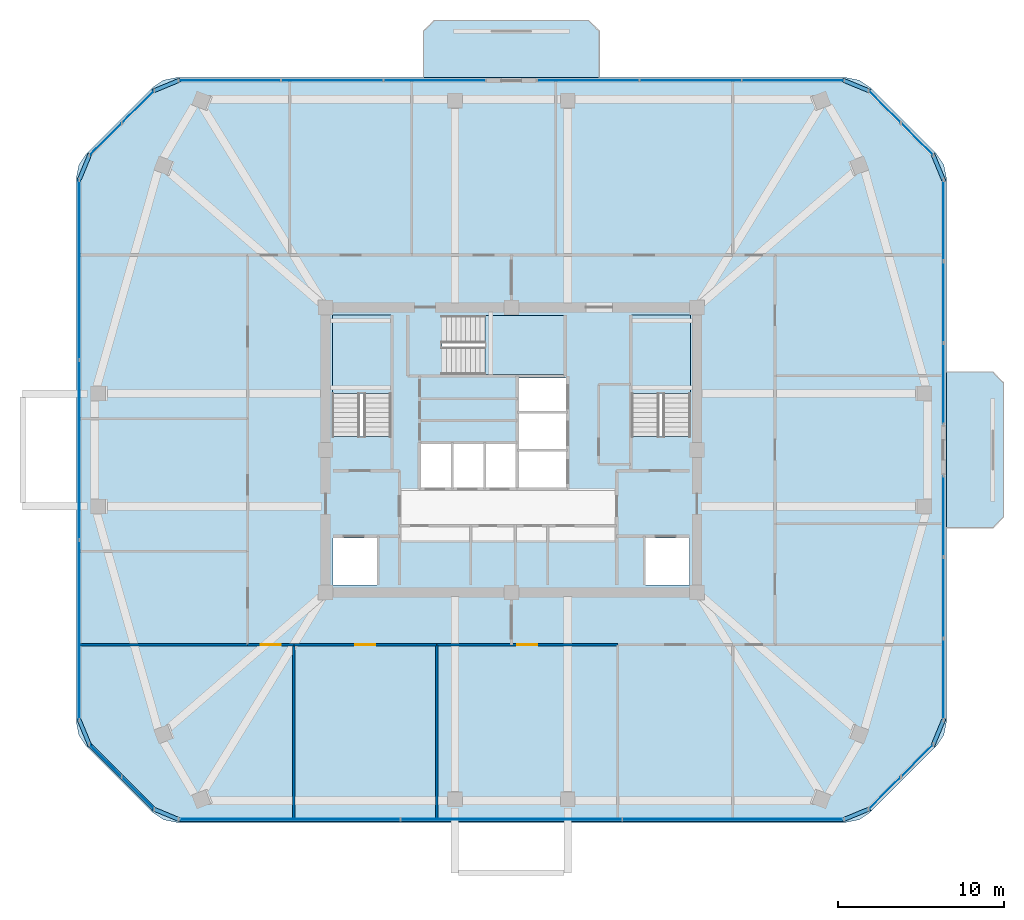
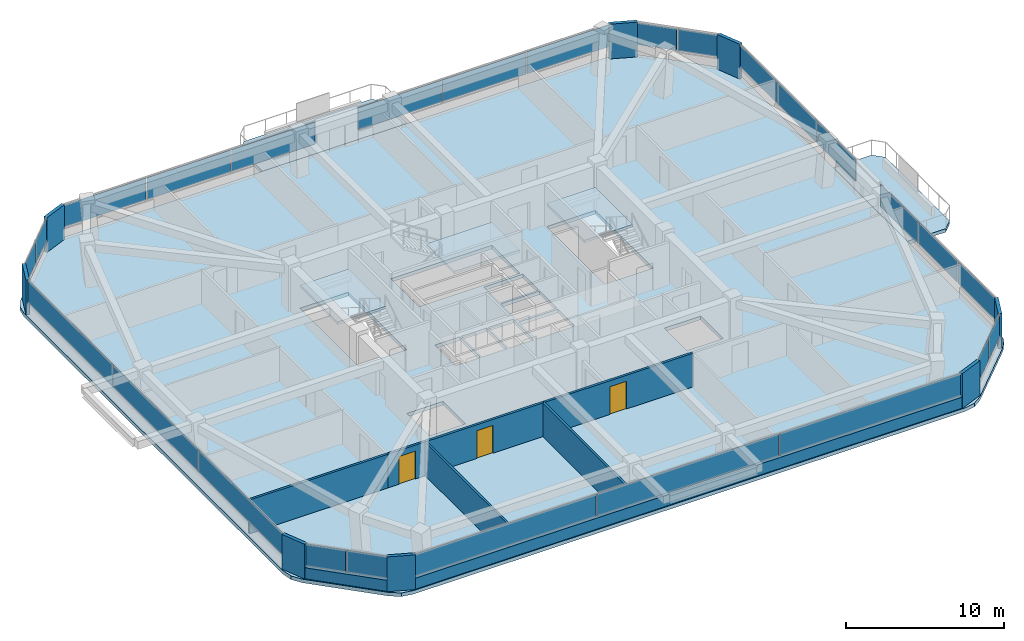
# One storey, part 8 of 14: 34 plates, 8 walls, 6 slabs, 3 doors, 3 openings, 13 elements without a shape of their own.
"""IFC4 building model written with IfcOpenShell, lengths in metres."""

from ifc_helpers import new_model, si_unit, derived_unit, direction, frame, frame_2d, origin, origin_2d, place, context, subcontext, project, spatial, polyline, rectangle, outline, extrude, material, layer, layer_set, type_object, element, fill, aggregate, save


model = new_model("IFC4")

# Units and contexts
model_context = context("Model", 3, precision=1e-05, world=origin(), true_north=direction((0.0, 1.0)))
body_context = subcontext(model_context, "Body", "Model", "MODEL_VIEW")
ifc_project = project(units=[si_unit("LENGTHUNIT", "METRE"), si_unit("AREAUNIT", "SQUARE_METRE"), si_unit("VOLUMEUNIT", "CUBIC_METRE"), si_unit("PLANEANGLEUNIT", "RADIAN"), si_unit("MASSUNIT", "GRAM", prefix="KILO"), derived_unit("THERMALTRANSMITTANCEUNIT", [(si_unit("POWERUNIT", "WATT"), 1), (si_unit("LENGTHUNIT", "METRE"), -2), (si_unit("THERMODYNAMICTEMPERATUREUNIT", "KELVIN"), -1)])], contexts=[model_context])

# Site, building, storey
site_placement = place(None, origin())
site = spatial("IfcSite", under=ifc_project, at=site_placement, CompositionType="ELEMENT")
building_placement = place(site_placement, origin())
building = spatial("IfcBuilding", under=site, at=building_placement, Name="Koralith Skygarden Medical Center", CompositionType="ELEMENT")
storey_placement = place(building_placement, frame((0.0, 0.0, 210.780029296875)))
storey = spatial("IfcBuildingStorey", under=building, at=storey_placement, Name="L54", CompositionType="ELEMENT", Elevation=210.780029296875)

# Curtain wall, plates
ifc_material_1 = material(Name="Clear Laminated Glass", Category="glass")
curtain_wall_type = type_object("IfcCurtainWallType", Name="CW-5 Zone 4 Flare Biophilic Curtain Wall", PredefinedType="NOTDEFINED", material=ifc_material_1)
curtain_wall_1_placement = place(storey_placement, origin())
curtain_wall_1 = element("IfcCurtainWall", 1, at=curtain_wall_1_placement, inside=storey, type_object=curtain_wall_type, Name="Curtain Wall CW-L54-S", PredefinedType="NOTDEFINED")
ifc_layer_1 = layer(ifc_material_1, 0.0380859375)
ifc_layer_set_1 = layer_set([ifc_layer_1], Name="Clear Laminated Glass")
plate_type_1 = type_object("IfcPlateType", Name="CW-5 Hurricane Laminated IGU Panel 38", PredefinedType="CURTAIN_PANEL", material=ifc_layer_set_1)
plate_1_placement = place(storey_placement, frame((23.613037109375, 3.626953125, 0.919921875), z_axis=(0.0, 0.0, 1.0), x_axis=(1.0, 0.0, 0.0)))
plate_1 = element("IfcPlate", 2, at=plate_1_placement, type_object=plate_type_1, Name="CW-L54-S Glazed Panel 1", PredefinedType="CURTAIN_PANEL", context=body_context, shape_type="SweptSolid", body=[
    extrude(rectangle(XDim=13.297119140625, YDim=0.0380859375, at=origin_2d()), origin(), (0.0, 0.0, 1.0), 1.699951171875),
])
plate_2_placement = place(storey_placement, frame((37.0, 3.626953125, 0.919921875), z_axis=(0.0, 0.0, 1.0), x_axis=(1.0, 0.0, 0.0)))
plate_2 = element("IfcPlate", 3, at=plate_2_placement, type_object=plate_type_1, Name="CW-L54-S Glazed Panel 2", PredefinedType="CURTAIN_PANEL", context=body_context, shape_type="SweptSolid", body=[
    extrude(rectangle(XDim=13.297119140625, YDim=0.0380859375, at=origin_2d()), origin(), (0.0, 0.0, 1.0), 1.699951171875),
])
plate_3_placement = place(storey_placement, frame((50.386962890625, 3.626953125, 0.919921875), z_axis=(0.0, 0.0, 1.0), x_axis=(1.0, 0.0, 0.0)))
plate_3 = element("IfcPlate", 4, at=plate_3_placement, type_object=plate_type_1, Name="CW-L54-S Glazed Panel 3", PredefinedType="CURTAIN_PANEL", context=body_context, shape_type="SweptSolid", body=[
    extrude(rectangle(XDim=13.297119140625, YDim=0.0380859375, at=origin_2d()), origin(), (0.0, 0.0, 1.0), 1.699951171875),
])
aggregate(curtain_wall_1, [plate_1, plate_2, plate_3])

curtain_wall_2_placement = place(storey_placement, origin())
curtain_wall_2 = element("IfcCurtainWall", 5, at=curtain_wall_2_placement, inside=storey, type_object=curtain_wall_type, Name="Curtain Wall CW-L54-SE", PredefinedType="NOTDEFINED")
plate_4_placement = place(storey_placement, frame((59.511962890625, 5.208984375, 0.919921875), z_axis=(0.0, 0.0, 1.0), x_axis=(0.707106781187, 0.707106781187, 0.0)))
plate_4 = element("IfcPlate", 6, at=plate_4_placement, type_object=plate_type_1, Name="CW-L54-SE Glazed Panel 1", PredefinedType="CURTAIN_PANEL", context=body_context, shape_type="SweptSolid", body=[
    extrude(rectangle(XDim=2.68408203125, YDim=0.0380859375, at=origin_2d()), origin(), (0.0, 0.0, 1.0), 1.699951171875),
])
plate_5_placement = place(storey_placement, frame((61.472900390625, 7.169921875, 0.919921875), z_axis=(0.0, 0.0, 1.0), x_axis=(0.707106781187, 0.707106781187, 0.0)))
plate_5 = element("IfcPlate", 7, at=plate_5_placement, type_object=plate_type_1, Name="CW-L54-SE Glazed Panel 2", PredefinedType="CURTAIN_PANEL", context=body_context, shape_type="SweptSolid", body=[
    extrude(rectangle(XDim=2.68408203125, YDim=0.0380859375, at=origin_2d()), origin(), (0.0, 0.0, 1.0), 1.699951171875),
])
aggregate(curtain_wall_2, [plate_4, plate_5])

curtain_wall_3_placement = place(storey_placement, origin())
curtain_wall_3 = element("IfcCurtainWall", 8, at=curtain_wall_3_placement, inside=storey, type_object=curtain_wall_type, Name="Curtain Wall CW-L54-E-L", PredefinedType="NOTDEFINED")
plate_6_placement = place(storey_placement, frame((63.054931640625, 12.06201171875, 0.919921875), z_axis=(0.0, 0.0, 1.0), x_axis=(0.0, 1.0, 0.0)))
plate_6 = element("IfcPlate", 9, at=plate_6_placement, type_object=plate_type_1, Name="CW-L54-E-L Glazed Panel 1", PredefinedType="CURTAIN_PANEL", context=body_context, shape_type="SweptSolid", body=[
    extrude(rectangle(XDim=4.8291015625, YDim=0.0380859375, at=origin_2d()), origin(), (0.0, 0.0, 1.0), 1.699951171875),
])
plate_7_placement = place(storey_placement, frame((63.054931640625, 16.97998046875, 0.919921875), z_axis=(0.0, 0.0, 1.0), x_axis=(0.0, 1.0, 0.0)))
plate_7 = element("IfcPlate", 10, at=plate_7_placement, type_object=plate_type_1, Name="CW-L54-E-L Glazed Panel 2", PredefinedType="CURTAIN_PANEL", context=body_context, shape_type="SweptSolid", body=[
    extrude(rectangle(XDim=4.8291015625, YDim=0.0380859375, at=origin_2d()), origin(), (0.0, 0.0, 1.0), 1.699951171875),
])
plate_8_placement = place(storey_placement, frame((63.054931640625, 21.89990234375, 0.919921875), z_axis=(0.0, 0.0, 1.0), x_axis=(0.0, 1.0, 0.0)))
plate_8 = element("IfcPlate", 11, at=plate_8_placement, type_object=plate_type_1, Name="CW-L54-E-L Glazed Panel 3", PredefinedType="CURTAIN_PANEL", context=body_context, shape_type="SweptSolid", body=[
    extrude(rectangle(XDim=4.8291015625, YDim=0.0380859375, at=origin_2d()), origin(), (0.0, 0.0, 1.0), 1.699951171875),
])
aggregate(curtain_wall_3, [plate_6, plate_7, plate_8])

curtain_wall_4_placement = place(storey_placement, origin())
curtain_wall_4 = element("IfcCurtainWall", 12, at=curtain_wall_4_placement, inside=storey, type_object=curtain_wall_type, Name="Curtain Wall CW-L54-E-R", PredefinedType="NOTDEFINED")
plate_9_placement = place(storey_placement, frame((63.054931640625, 29.89892578125, 0.919921875), z_axis=(0.0, 0.0, 1.0), x_axis=(0.0, 1.0, 0.0)))
plate_9 = element("IfcPlate", 13, at=plate_9_placement, type_object=plate_type_1, Name="CW-L54-E-R Glazed Panel 1", PredefinedType="CURTAIN_PANEL", context=body_context, shape_type="SweptSolid", body=[
    extrude(rectangle(XDim=4.830078125, YDim=0.0380859375, at=origin_2d()), origin(), (0.0, 0.0, 1.0), 1.699951171875),
])
plate_10_placement = place(storey_placement, frame((63.054931640625, 34.819091796875, 0.919921875), z_axis=(0.0, 0.0, 1.0), x_axis=(0.0, 1.0, 0.0)))
plate_10 = element("IfcPlate", 14, at=plate_10_placement, type_object=plate_type_1, Name="CW-L54-E-R Glazed Panel 2", PredefinedType="CURTAIN_PANEL", context=body_context, shape_type="SweptSolid", body=[
    extrude(rectangle(XDim=4.830078125, YDim=0.0380859375, at=origin_2d()), origin(), (0.0, 0.0, 1.0), 1.699951171875),
])
plate_11_placement = place(storey_placement, frame((63.054931640625, 39.738037109375, 0.919921875), z_axis=(0.0, 0.0, 1.0), x_axis=(0.0, 1.0, 0.0)))
plate_11 = element("IfcPlate", 15, at=plate_11_placement, type_object=plate_type_1, Name="CW-L54-E-R Glazed Panel 3", PredefinedType="CURTAIN_PANEL", context=body_context, shape_type="SweptSolid", body=[
    extrude(rectangle(XDim=4.830078125, YDim=0.0380859375, at=origin_2d()), origin(), (0.0, 0.0, 1.0), 1.699951171875),
])
aggregate(curtain_wall_4, [plate_9, plate_10, plate_11])

curtain_wall_5_placement = place(storey_placement, origin())
curtain_wall_5 = element("IfcCurtainWall", 16, at=curtain_wall_5_placement, inside=storey, type_object=curtain_wall_type, Name="Curtain Wall CW-L54-NE", PredefinedType="NOTDEFINED")
plate_12_placement = place(storey_placement, frame((61.472900390625, 44.6298828125, 0.919921875), z_axis=(0.0, 0.0, 1.0), x_axis=(-0.707106781187, 0.707106781187, 0.0)))
plate_12 = element("IfcPlate", 17, at=plate_12_placement, type_object=plate_type_1, Name="CW-L54-NE Glazed Panel 1", PredefinedType="CURTAIN_PANEL", context=body_context, shape_type="SweptSolid", body=[
    extrude(rectangle(XDim=2.68408203125, YDim=0.0380859375, at=origin_2d()), origin(), (0.0, 0.0, 1.0), 1.699951171875),
])
plate_13_placement = place(storey_placement, frame((59.511962890625, 46.591064453125, 0.919921875), z_axis=(0.0, 0.0, 1.0), x_axis=(-0.707106781187, 0.707106781187, 0.0)))
plate_13 = element("IfcPlate", 18, at=plate_13_placement, type_object=plate_type_1, Name="CW-L54-NE Glazed Panel 2", PredefinedType="CURTAIN_PANEL", context=body_context, shape_type="SweptSolid", body=[
    extrude(rectangle(XDim=2.68408203125, YDim=0.0380859375, at=origin_2d()), origin(), (0.0, 0.0, 1.0), 1.699951171875),
])
aggregate(curtain_wall_5, [plate_12, plate_13])

curtain_wall_6_placement = place(storey_placement, origin())
curtain_wall_6 = element("IfcCurtainWall", 19, at=curtain_wall_6_placement, inside=storey, type_object=curtain_wall_type, Name="Curtain Wall CW-L54-N-L", PredefinedType="NOTDEFINED")
plate_14_placement = place(storey_placement, frame((53.989990234375, 48.173095703125, 0.919921875), z_axis=(0.0, 0.0, 1.0), x_axis=(-1.0, 0.0, 0.0)))
plate_14 = element("IfcPlate", 20, at=plate_14_placement, type_object=plate_type_1, Name="CW-L54-N-L Glazed Panel 1", PredefinedType="CURTAIN_PANEL", context=body_context, shape_type="SweptSolid", body=[
    extrude(rectangle(XDim=6.090087890625, YDim=0.0380859375, at=origin_2d()), origin(), (0.0, 0.0, 1.0), 1.699951171875),
])
plate_15_placement = place(storey_placement, frame((47.81005859375, 48.173095703125, 0.919921875), z_axis=(0.0, 0.0, 1.0), x_axis=(-1.0, 0.0, 0.0)))
plate_15 = element("IfcPlate", 21, at=plate_15_placement, type_object=plate_type_1, Name="CW-L54-N-L Glazed Panel 2", PredefinedType="CURTAIN_PANEL", context=body_context, shape_type="SweptSolid", body=[
    extrude(rectangle(XDim=6.090087890625, YDim=0.0380859375, at=origin_2d()), origin(), (0.0, 0.0, 1.0), 1.699951171875),
])
plate_16_placement = place(storey_placement, frame((41.631103515625, 48.173095703125, 0.919921875), z_axis=(0.0, 0.0, 1.0), x_axis=(-1.0, 0.0, 0.0)))
plate_16 = element("IfcPlate", 22, at=plate_16_placement, type_object=plate_type_1, Name="CW-L54-N-L Glazed Panel 3", PredefinedType="CURTAIN_PANEL", context=body_context, shape_type="SweptSolid", body=[
    extrude(rectangle(XDim=6.090087890625, YDim=0.0380859375, at=origin_2d()), origin(), (0.0, 0.0, 1.0), 1.699951171875),
])
aggregate(curtain_wall_6, [plate_14, plate_15, plate_16])

curtain_wall_7_placement = place(storey_placement, origin())
curtain_wall_7 = element("IfcCurtainWall", 23, at=curtain_wall_7_placement, inside=storey, type_object=curtain_wall_type, Name="Curtain Wall CW-L54-N-R", PredefinedType="NOTDEFINED")
plate_17_placement = place(storey_placement, frame((32.37109375, 48.173095703125, 0.919921875), z_axis=(0.0, 0.0, 1.0), x_axis=(-1.0, 0.0, 0.0)))
plate_17 = element("IfcPlate", 24, at=plate_17_placement, type_object=plate_type_1, Name="CW-L54-N-R Glazed Panel 1", PredefinedType="CURTAIN_PANEL", context=body_context, shape_type="SweptSolid", body=[
    extrude(rectangle(XDim=6.090087890625, YDim=0.0380859375, at=origin_2d()), origin(), (0.0, 0.0, 1.0), 1.699951171875),
])
plate_18_placement = place(storey_placement, frame((26.19091796875, 48.173095703125, 0.919921875), z_axis=(0.0, 0.0, 1.0), x_axis=(-1.0, 0.0, 0.0)))
plate_18 = element("IfcPlate", 25, at=plate_18_placement, type_object=plate_type_1, Name="CW-L54-N-R Glazed Panel 2", PredefinedType="CURTAIN_PANEL", context=body_context, shape_type="SweptSolid", body=[
    extrude(rectangle(XDim=6.090087890625, YDim=0.0380859375, at=origin_2d()), origin(), (0.0, 0.0, 1.0), 1.699951171875),
])
plate_19_placement = place(storey_placement, frame((20.010009765625, 48.173095703125, 0.919921875), z_axis=(0.0, 0.0, 1.0), x_axis=(-1.0, 0.0, 0.0)))
plate_19 = element("IfcPlate", 26, at=plate_19_placement, type_object=plate_type_1, Name="CW-L54-N-R Glazed Panel 3", PredefinedType="CURTAIN_PANEL", context=body_context, shape_type="SweptSolid", body=[
    extrude(rectangle(XDim=6.090087890625, YDim=0.0380859375, at=origin_2d()), origin(), (0.0, 0.0, 1.0), 1.699951171875),
])
aggregate(curtain_wall_7, [plate_17, plate_18, plate_19])

curtain_wall_8_placement = place(storey_placement, origin())
curtain_wall_8 = element("IfcCurtainWall", 27, at=curtain_wall_8_placement, inside=storey, type_object=curtain_wall_type, Name="Curtain Wall CW-L54-NW", PredefinedType="NOTDEFINED")
plate_20_placement = place(storey_placement, frame((14.488037109375, 46.591064453125, 0.919921875), z_axis=(0.0, 0.0, 1.0), x_axis=(-0.707106781187, -0.707106781187, 0.0)))
plate_20 = element("IfcPlate", 28, at=plate_20_placement, type_object=plate_type_1, Name="CW-L54-NW Glazed Panel 1", PredefinedType="CURTAIN_PANEL", context=body_context, shape_type="SweptSolid", body=[
    extrude(rectangle(XDim=2.68408203125, YDim=0.0380859375, at=origin_2d()), origin(), (0.0, 0.0, 1.0), 1.699951171875),
])
plate_21_placement = place(storey_placement, frame((12.527099609375, 44.6298828125, 0.919921875), z_axis=(0.0, 0.0, 1.0), x_axis=(-0.707106781187, -0.707106781187, 0.0)))
plate_21 = element("IfcPlate", 29, at=plate_21_placement, type_object=plate_type_1, Name="CW-L54-NW Glazed Panel 2", PredefinedType="CURTAIN_PANEL", context=body_context, shape_type="SweptSolid", body=[
    extrude(rectangle(XDim=2.68408203125, YDim=0.0380859375, at=origin_2d()), origin(), (0.0, 0.0, 1.0), 1.699951171875),
])
aggregate(curtain_wall_8, [plate_20, plate_21])

curtain_wall_9_placement = place(storey_placement, origin())
curtain_wall_9 = element("IfcCurtainWall", 30, at=curtain_wall_9_placement, inside=storey, type_object=curtain_wall_type, Name="Curtain Wall CW-L54-W", PredefinedType="NOTDEFINED")
plate_22_placement = place(storey_placement, frame((10.945068359375, 36.764892578125, 0.919921875), z_axis=(0.0, 0.0, 1.0), x_axis=(0.0, -1.0, 0.0)))
plate_22 = element("IfcPlate", 31, at=plate_22_placement, type_object=plate_type_1, Name="CW-L54-W Glazed Panel 1", PredefinedType="CURTAIN_PANEL", context=body_context, shape_type="SweptSolid", body=[
    extrude(rectangle(XDim=10.77490234375, YDim=0.0380859375, at=origin_2d()), origin(), (0.0, 0.0, 1.0), 1.699951171875),
])
plate_23_placement = place(storey_placement, frame((10.945068359375, 25.89990234375, 0.919921875), z_axis=(0.0, 0.0, 1.0), x_axis=(0.0, -1.0, 0.0)))
plate_23 = element("IfcPlate", 32, at=plate_23_placement, type_object=plate_type_1, Name="CW-L54-W Glazed Panel 2", PredefinedType="CURTAIN_PANEL", context=body_context, shape_type="SweptSolid", body=[
    extrude(rectangle(XDim=10.77490234375, YDim=0.0380859375, at=origin_2d()), origin(), (0.0, 0.0, 1.0), 1.699951171875),
])
plate_24_placement = place(storey_placement, frame((10.945068359375, 15.034912109375, 0.919921875), z_axis=(0.0, 0.0, 1.0), x_axis=(0.0, -1.0, 0.0)))
plate_24 = element("IfcPlate", 33, at=plate_24_placement, type_object=plate_type_1, Name="CW-L54-W Glazed Panel 3", PredefinedType="CURTAIN_PANEL", context=body_context, shape_type="SweptSolid", body=[
    extrude(rectangle(XDim=10.77490234375, YDim=0.0380859375, at=origin_2d()), origin(), (0.0, 0.0, 1.0), 1.699951171875),
])
aggregate(curtain_wall_9, [plate_22, plate_23, plate_24])

curtain_wall_10_placement = place(storey_placement, origin())
curtain_wall_10 = element("IfcCurtainWall", 34, at=curtain_wall_10_placement, inside=storey, type_object=curtain_wall_type, Name="Curtain Wall CW-L54-SW", PredefinedType="NOTDEFINED")
plate_25_placement = place(storey_placement, frame((12.527099609375, 7.169921875, 0.919921875), z_axis=(0.0, 0.0, 1.0), x_axis=(0.707106781187, -0.707106781187, 0.0)))
plate_25 = element("IfcPlate", 35, at=plate_25_placement, type_object=plate_type_1, Name="CW-L54-SW Glazed Panel 1", PredefinedType="CURTAIN_PANEL", context=body_context, shape_type="SweptSolid", body=[
    extrude(rectangle(XDim=2.68408203125, YDim=0.0380859375, at=origin_2d()), origin(), (0.0, 0.0, 1.0), 1.699951171875),
])
plate_26_placement = place(storey_placement, frame((14.488037109375, 5.208984375, 0.919921875), z_axis=(0.0, 0.0, 1.0), x_axis=(0.707106781187, -0.707106781187, 0.0)))
plate_26 = element("IfcPlate", 36, at=plate_26_placement, type_object=plate_type_1, Name="CW-L54-SW Glazed Panel 2", PredefinedType="CURTAIN_PANEL", context=body_context, shape_type="SweptSolid", body=[
    extrude(rectangle(XDim=2.68408203125, YDim=0.0380859375, at=origin_2d()), origin(), (0.0, 0.0, 1.0), 1.699951171875),
])
aggregate(curtain_wall_10, [plate_25, plate_26])

# Slabs
ifc_material_2 = material(Name="Concrete C45/55", Category="concrete")
ifc_layer_2 = layer(ifc_material_2, 0.260009765625)
ifc_layer_set_2 = layer_set([ifc_layer_2], Name="Concrete C45/55")
slab_type_1 = type_object("IfcSlabType", Name="Cantilevered Planted Balcony Slab 260", PredefinedType="FLOOR", material=ifc_layer_set_2)
slab_1_placement = place(storey_placement, frame((0.0, 0.0, -0.260009765625)))
element("IfcSlab", 37, at=slab_1_placement, inside=storey, type_object=slab_type_1, Name="L54 N Planted Sky-Garden Balcony Slab", PredefinedType="FLOOR", context=body_context, shape_type="SweptSolid", body=[
    extrude(outline(polyline([(31.699951171875, 48.35302734375), (42.300048828125, 48.35302734375), (42.300048828125, 51.153076171875), (41.64990234375, 51.802978515625), (32.35009765625, 51.802978515625), (31.699951171875, 51.153076171875), (31.699951171875, 48.35302734375)])), origin(), (0.0, 0.0, 1.0), 0.260009765625),
])
slab_2_placement = place(storey_placement, frame((0.0, 0.0, -0.260009765625)))
element("IfcSlab", 38, at=slab_2_placement, inside=storey, type_object=slab_type_1, Name="L54 E Planted Sky-Garden Balcony Slab", PredefinedType="FLOOR", context=body_context, shape_type="SweptSolid", body=[
    extrude(outline(polyline([(63.235107421875, 21.199951171875), (66.034912109375, 21.199951171875), (66.68505859375, 21.85009765625), (66.68505859375, 29.949951171875), (66.034912109375, 30.60009765625), (63.235107421875, 30.60009765625), (63.235107421875, 21.199951171875)])), origin(), (0.0, 0.0, 1.0), 0.260009765625),
])

# Stair, slab
stair_type = type_object("IfcStairType", Name="Core Exit Dogleg Concrete Stair", PredefinedType="HALF_TURN_STAIR", material=ifc_material_2)
stair_1_placement = place(storey_placement, origin())
stair_1 = element("IfcStair", 39, at=stair_1_placement, inside=storey, type_object=stair_type, Name="L54 Smokeproof Exit Stair ST1", PredefinedType="HALF_TURN_STAIR")
ifc_layer_3 = layer(ifc_material_2, 0.199951171875)
ifc_layer_set_3 = layer_set([ifc_layer_3], Name="Concrete C45/55")
slab_type_2 = type_object("IfcSlabType", Name="Core Exit Concrete Stair Landing 200", PredefinedType="LANDING", material=ifc_layer_set_3)
slab_3_placement = place(storey_placement, frame((0.0, 0.0, 1.599853515625)))
slab_3 = element("IfcSlab", 40, at=slab_3_placement, type_object=slab_type_2, Name="ST1 landing 1", PredefinedType="LANDING", context=body_context, shape_type="SweptSolid", body=[
    extrude(outline(polyline([(29.75, 29.31005859375), (29.75, 34.050048828125), (26.199951171875, 34.050048828125), (26.199951171875, 29.31005859375), (29.75, 29.31005859375)])), origin(), (0.0, 0.0, 1.0), 0.2001953125),
])
aggregate(stair_1, [slab_3])

stair_2_placement = place(storey_placement, origin())
stair_2 = element("IfcStair", 41, at=stair_2_placement, inside=storey, type_object=stair_type, Name="L54 Smokeproof Exit Stair ST2", PredefinedType="HALF_TURN_STAIR")
slab_4_placement = place(storey_placement, frame((0.0, 0.0, 1.599853515625)))
slab_4 = element("IfcSlab", 42, at=slab_4_placement, type_object=slab_type_2, Name="ST2 landing 1", PredefinedType="LANDING", context=body_context, shape_type="SweptSolid", body=[
    extrude(outline(polyline([(47.800048828125, 29.31005859375), (47.800048828125, 34.050048828125), (44.25, 34.050048828125), (44.25, 29.31005859375), (47.800048828125, 29.31005859375)])), origin(), (0.0, 0.0, 1.0), 0.2001953125),
])
aggregate(stair_2, [slab_4])

stair_3_placement = place(storey_placement, origin())
stair_3 = element("IfcStair", 43, at=stair_3_placement, inside=storey, type_object=stair_type, Name="L54 Smokeproof Exit Stair ST3", PredefinedType="HALF_TURN_STAIR")
slab_5_placement = place(storey_placement, frame((0.0, 0.0, 1.599853515625)))
slab_5 = element("IfcSlab", 44, at=slab_5_placement, type_object=slab_type_2, Name="ST3 landing 1", PredefinedType="LANDING", context=body_context, shape_type="SweptSolid", body=[
    extrude(outline(polyline([(35.409912109375, 30.449951171875), (40.199951171875, 30.449951171875), (40.199951171875, 34.0), (35.409912109375, 34.0), (35.409912109375, 30.449951171875)])), origin(), (0.0, 0.0, 1.0), 0.2001953125),
])
aggregate(stair_3, [slab_5])

# Slab
ifc_layer_4 = layer(ifc_material_2, 0.280029296875)
ifc_layer_set_4 = layer_set([ifc_layer_4], Name="Concrete C45/55")
slab_type_3 = type_object("IfcSlabType", Name="Post-Tensioned Ward Floor Plate 280", PredefinedType="FLOOR", material=ifc_layer_set_4)
slab_6_placement = place(storey_placement, frame((0.0, 0.0, -0.280029296875)))
element("IfcSlab", 45, at=slab_6_placement, inside=storey, type_object=slab_type_3, Name="Level L54 Structural Floor Slab", PredefinedType="FLOOR", context=body_context, shape_type="SweptSolid", body=[
    extrude(outline(polyline([(15.37890625, 4.032958984375), (16.028076171875, 3.59912109375), (16.79296875, 3.447021484375), (57.20703125, 3.447021484375), (57.971923828125, 3.59912109375), (58.62109375, 4.032958984375), (62.64892578125, 8.06103515625), (63.0830078125, 8.7099609375), (63.235107421875, 9.47509765625), (63.235107421875, 42.324951171875), (63.0830078125, 43.090087890625), (62.64892578125, 43.739013671875), (58.62109375, 47.76708984375), (57.971923828125, 48.200927734375), (57.20703125, 48.35302734375), (16.79296875, 48.35302734375), (16.028076171875, 48.200927734375), (15.37890625, 47.76708984375), (11.35107421875, 43.739013671875), (10.9169921875, 43.090087890625), (10.764892578125, 42.324951171875), (10.764892578125, 9.47509765625), (10.9169921875, 8.7099609375), (11.35107421875, 8.06103515625), (15.37890625, 4.032958984375)]), holes=[polyline([(26.199951171875, 26.705078125), (29.75, 26.705078125), (29.75, 34.050048828125), (26.199951171875, 34.050048828125), (26.199951171875, 26.705078125)]), polyline([(44.25, 26.705078125), (47.800048828125, 26.705078125), (47.800048828125, 34.050048828125), (44.25, 34.050048828125), (44.25, 26.705078125)]), polyline([(32.804931640625, 30.449951171875), (40.199951171875, 30.449951171875), (40.199951171875, 34.0), (32.804931640625, 34.0), (32.804931640625, 30.449951171875)]), polyline([(26.25, 17.75), (28.89990234375, 17.75), (28.89990234375, 20.60009765625), (26.25, 20.60009765625), (26.25, 17.75)]), polyline([(45.10009765625, 17.75), (47.75, 17.75), (47.75, 20.60009765625), (45.10009765625, 20.60009765625), (45.10009765625, 17.75)]), polyline([(31.550048828125, 23.64990234375), (33.39990234375, 23.64990234375), (33.39990234375, 26.25), (31.550048828125, 26.25), (31.550048828125, 23.64990234375)]), polyline([(33.5, 23.64990234375), (35.35009765625, 23.64990234375), (35.35009765625, 26.25), (33.5, 26.25), (33.5, 23.64990234375)]), polyline([(35.449951171875, 23.64990234375), (37.300048828125, 23.64990234375), (37.300048828125, 26.25), (35.449951171875, 26.25), (35.449951171875, 23.64990234375)]), polyline([(37.449951171875, 23.64990234375), (40.300048828125, 23.64990234375), (40.300048828125, 25.800048828125), (37.449951171875, 25.800048828125), (37.449951171875, 23.64990234375)]), polyline([(37.449951171875, 25.949951171875), (40.300048828125, 25.949951171875), (40.300048828125, 28.10009765625), (37.449951171875, 28.10009765625), (37.449951171875, 25.949951171875)]), polyline([(37.449951171875, 28.25), (40.300048828125, 28.25), (40.300048828125, 30.25), (37.449951171875, 30.25), (37.449951171875, 28.25)])]), origin(), (0.0, 0.0, 1.0), 0.280029296875),
])

# Plates
ifc_material_3 = material(Name="Warm Oolitic Limestone Cladding", Category="masonry")
ifc_layer_5 = layer(ifc_material_3, 0.239990234375)
ifc_layer_set_5 = layer_set([ifc_layer_5], Name="Warm Oolitic Limestone Cladding")
plate_type_2 = type_object("IfcPlateType", Name="Rounded-Corner Oolitic Limestone Cladding Panel 240", PredefinedType="USERDEFINED", material=ifc_layer_set_5)
for number, where, z_axis, x_axis, name in (
    (46, (57.804931640625, 3.927001953125, 0.0), (0.0, 0.0, 1.0), (0.92388487569, 0.382670532536, 0.0), "L54 Rounded-Corner Limestone Pier 1"),
    (47, (62.7548828125, 8.876953125, 0.0), (0.0, 0.0, 1.0), (0.382670532536, 0.92388487569, 0.0), "L54 Rounded-Corner Limestone Pier 2"),
    (48, (62.7548828125, 42.924072265625, 0.0), (0.0, 0.0, 1.0), (-0.382670532536, 0.92388487569, 0.0), "L54 Rounded-Corner Limestone Pier 3"),
    (49, (57.804931640625, 47.873046875, 0.0), (0.0, 0.0, 1.0), (-0.92388487569, 0.382670532536, 0.0), "L54 Rounded-Corner Limestone Pier 4"),
    (50, (16.195068359375, 47.873046875, 0.0), (0.0, 0.0, 1.0), (-0.92388487569, -0.382670532536, 0.0), "L54 Rounded-Corner Limestone Pier 5"),
    (51, (11.2451171875, 42.924072265625, 0.0), (0.0, 0.0, 1.0), (-0.382670532536, -0.92388487569, 0.0), "L54 Rounded-Corner Limestone Pier 6"),
    (52, (11.2451171875, 8.876953125, 0.0), (0.0, 0.0, 1.0), (0.382670532536, -0.92388487569, 0.0), "L54 Rounded-Corner Limestone Pier 7"),
    (53, (16.195068359375, 3.927001953125, 0.0), (0.0, 0.0, 1.0), (0.92388487569, -0.382670532536, 0.0), "L54 Rounded-Corner Limestone Pier 8"),
):
    element("IfcPlate", number, at=place(storey_placement, frame(where, z_axis=z_axis, x_axis=x_axis)), inside=storey, type_object=plate_type_2, Name=name, ObjectType="LIMESTONE CLADDING", PredefinedType="USERDEFINED", context=body_context, shape_type="SweptSolid", body=[
        extrude(rectangle(XDim=1.81103515625, YDim=0.239990234375, at=origin_2d()), origin(), (0.0, 0.0, 1.0), 2.68994140625),
    ])

# Walls
ifc_material_4 = material(Name="Gypsum Board Partition")
ifc_layer_6 = layer(ifc_material_4, 0.14990234375)
ifc_layer_set_6 = layer_set([ifc_layer_6], Name="Gypsum Board Partition")
wall_type_1 = type_object("IfcWallType", Name="Clinical Acoustic Partition 150", PredefinedType="PARTITIONING", material=ifc_layer_set_6)
for number, where, z_axis, x_axis, name in (
    (54, (23.882080078125, 14.14990234375, 0.0), (0.0, 0.0, 1.0), (0.0, -1.0, 0.0), "L54 Clinical Acoustic Partition 150 W-PART-L54-S-01"),
    (55, (32.4970703125, 14.14990234375, 0.0), (0.0, 0.0, 1.0), (0.0, -1.0, 0.0), "L54 Clinical Acoustic Partition 150 W-PART-L54-S-02"),
):
    element("IfcWall", number, at=place(storey_placement, frame(where, z_axis=z_axis, x_axis=x_axis)), inside=storey, type_object=wall_type_1, Name=name, PredefinedType="PARTITIONING", context=body_context, shape_type="SweptSolid", body=[
        extrude(rectangle(XDim=10.5029296875, YDim=0.14990234375, at=frame_2d((5.25146484375, 0.0))), origin(), (0.0, 0.0, 1.0), 2.60986328125),
    ])
ifc_layer_7 = layer(ifc_material_4, 0.1650390625)
ifc_layer_set_7 = layer_set([ifc_layer_7], Name="Gypsum Board Partition")
wall_type_2 = type_object("IfcWallType", Name="Clinical Corridor Partition 165", PredefinedType="PARTITIONING", material=ifc_layer_set_7)
wall_1_placement = place(storey_placement, frame((10.965087890625, 14.14990234375, 0.0), z_axis=(0.0, 0.0, 1.0), x_axis=(1.0, 0.0, 0.0)))
element("IfcWall", 56, at=wall_1_placement, inside=storey, type_object=wall_type_2, Name="L54 Clinical Corridor Partition 165 W-WB-L54-SW", PredefinedType="PARTITIONING", context=body_context, shape_type="SweptSolid", body=[
    extrude(rectangle(XDim=10.135009765625, YDim=0.1650390625, at=frame_2d((5.0673828125, 0.0))), origin(), (0.0, 0.0, 1.0), 2.60986328125),
])

# Wall, opening, door
wall_2_placement = place(storey_placement, frame((21.10009765625, 14.14990234375, 0.0), z_axis=(0.0, 0.0, 1.0), x_axis=(1.0, 0.0, 0.0)))
wall_2 = element("IfcWall", 57, at=wall_2_placement, inside=storey, type_object=wall_type_2, Name="L54 Clinical Corridor Partition 165 W-CORR-L54-S-01", PredefinedType="PARTITIONING", context=body_context, shape_type="SweptSolid", body=[
    extrude(rectangle(XDim=2.781982421875, YDim=0.1650390625, at=frame_2d((1.39111328125, 0.0))), origin(), (0.0, 0.0, 1.0), 2.60986328125),
])
opening_1_placement = place(wall_2_placement, frame((0.791015625, 0.0, 0.0)))
opening_1 = element("IfcOpeningElement", 58, at=opening_1_placement, cuts=wall_2, Name="Opening D-CLN", PredefinedType="OPENING", context=body_context, shape_type="SweptSolid", body=[
    extrude(rectangle(XDim=1.199951171875, YDim=2.14990234375, at=frame_2d((0.60009765625, 1.074951171875))), frame((0.0, 0.092529296875, 0.0), z_axis=(0.0, -1.0, 0.0), x_axis=(1.0, 0.0, 0.0)), (0.0, 0.0, 1.0), 0.18505859375),
])
ifc_material_5 = material(Name="Aluminium 6063-T6", Category="aluminium")
door_type = type_object("IfcDoorType", Name="Clinical Corridor Door D-CLN 1200", OperationType="NOTDEFINED", PredefinedType="DOOR", material=ifc_material_5)
door_1_placement = place(opening_1_placement, frame((1.199951171875, 0.0, 0.0), z_axis=(0.0, 0.0, 1.0), x_axis=(-1.0, 0.0, 0.0)))
door_1 = element("IfcDoor", 59, at=door_1_placement, inside=storey, type_object=door_type, Name="L54 Pharmacy Bulk IV Supply Store 06 Door", OperationType="SINGLE_SWING_LEFT", OverallHeight=2.14990234375, OverallWidth=1.199951171875, PredefinedType="DOOR", context=body_context, shape_type="SweptSolid", body=[
    extrude(rectangle(XDim=1.199951171875, YDim=2.14990234375, at=frame_2d((0.60009765625, 1.074951171875))), frame((0.0, 0.02490234375, 0.0), z_axis=(0.0, -1.0, 0.0), x_axis=(1.0, 0.0, 0.0)), (0.0, 0.0, 1.0), 0.050048828125),
])
fill(opening_1, door_1)

wall_3_placement = place(storey_placement, frame((23.882080078125, 14.14990234375, 0.0), z_axis=(0.0, 0.0, 1.0), x_axis=(1.0, 0.0, 0.0)))
wall_3 = element("IfcWall", 60, at=wall_3_placement, inside=storey, type_object=wall_type_2, Name="L54 Clinical Corridor Partition 165 W-CORR-L54-S-02", PredefinedType="PARTITIONING", context=body_context, shape_type="SweptSolid", body=[
    extrude(rectangle(XDim=8.614990234375, YDim=0.1650390625, at=frame_2d((4.3076171875, 0.0))), origin(), (0.0, 0.0, 1.0), 2.60986328125),
])
opening_2_placement = place(wall_3_placement, frame((3.70703125, 0.0, 0.0)))
opening_2 = element("IfcOpeningElement", 61, at=opening_2_placement, cuts=wall_3, Name="Opening D-CLN", PredefinedType="OPENING", context=body_context, shape_type="SweptSolid", body=[
    extrude(rectangle(XDim=1.199951171875, YDim=2.14990234375, at=frame_2d((0.60009765625, 1.074951171875))), frame((0.0, 0.092529296875, 0.0), z_axis=(0.0, -1.0, 0.0), x_axis=(1.0, 0.0, 0.0)), (0.0, 0.0, 1.0), 0.18505859375),
])
door_2_placement = place(opening_2_placement, frame((1.199951171875, 0.0, 0.0), z_axis=(0.0, 0.0, 1.0), x_axis=(-1.0, 0.0, 0.0)))
door_2 = element("IfcDoor", 62, at=door_2_placement, inside=storey, type_object=door_type, Name="L54 Sterile Catheter Supply Store 07 Door", OperationType="SINGLE_SWING_RIGHT", OverallHeight=2.14990234375, OverallWidth=1.199951171875, PredefinedType="DOOR", context=body_context, shape_type="SweptSolid", body=[
    extrude(rectangle(XDim=1.199951171875, YDim=2.14990234375, at=frame_2d((0.60009765625, 1.074951171875))), frame((0.0, 0.02490234375, 0.0), z_axis=(0.0, -1.0, 0.0), x_axis=(1.0, 0.0, 0.0)), (0.0, 0.0, 1.0), 0.050048828125),
])
fill(opening_2, door_2)

wall_4_placement = place(storey_placement, frame((32.4970703125, 14.14990234375, 0.0), z_axis=(0.0, 0.0, 1.0), x_axis=(1.0, 0.0, 0.0)))
wall_4 = element("IfcWall", 63, at=wall_4_placement, inside=storey, type_object=wall_type_2, Name="L54 Clinical Corridor Partition 165 W-CORR-L54-S-03", PredefinedType="PARTITIONING", context=body_context, shape_type="SweptSolid", body=[
    extrude(rectangle(XDim=10.921875, YDim=0.1650390625, at=frame_2d((5.4609375, 0.0))), origin(), (0.0, 0.0, 1.0), 2.60986328125),
])
opening_3_placement = place(wall_4_placement, frame((4.861083984375, 0.0, 0.0)))
opening_3 = element("IfcOpeningElement", 64, at=opening_3_placement, cuts=wall_4, Name="Opening D-CLN", PredefinedType="OPENING", context=body_context, shape_type="SweptSolid", body=[
    extrude(rectangle(XDim=1.199951171875, YDim=2.14990234375, at=frame_2d((0.60009765625, 1.074951171875))), frame((0.0, 0.092529296875, 0.0), z_axis=(0.0, -1.0, 0.0), x_axis=(1.0, 0.0, 0.0)), (0.0, 0.0, 1.0), 0.18505859375),
])
door_3_placement = place(opening_3_placement, frame((1.199951171875, 0.0, 0.0), z_axis=(0.0, 0.0, 1.0), x_axis=(-1.0, 0.0, 0.0)))
door_3 = element("IfcDoor", 65, at=door_3_placement, inside=storey, type_object=door_type, Name="L54 Clinical Trials Huddle Room 08 Door", OperationType="SINGLE_SWING_LEFT", OverallHeight=2.14990234375, OverallWidth=1.199951171875, PredefinedType="DOOR", context=body_context, shape_type="SweptSolid", body=[
    extrude(rectangle(XDim=1.199951171875, YDim=2.14990234375, at=frame_2d((0.60009765625, 1.074951171875))), frame((0.0, 0.02490234375, 0.0), z_axis=(0.0, -1.0, 0.0), x_axis=(1.0, 0.0, 0.0)), (0.0, 0.0, 1.0), 0.050048828125),
])
fill(opening_3, door_3)

# Walls
ifc_layer_8 = layer(ifc_material_3, 0.239990234375)
ifc_layer_set_8 = layer_set([ifc_layer_8], Name="Warm Oolitic Limestone Cladding")
wall_type_3 = type_object("IfcWallType", Name="Limestone Spandrel Sill Backup Wall 240", PredefinedType="SOLIDWALL", material=ifc_layer_set_8)
wall_5_placement = place(storey_placement, frame((16.919921875, 3.626953125, 0.0), z_axis=(0.0, 0.0, 1.0), x_axis=(1.0, 0.0, 0.0)))
element("IfcWall", 66, at=wall_5_placement, inside=storey, type_object=wall_type_3, Name="L54 Sill Spandrel S", PredefinedType="SOLIDWALL", context=body_context, shape_type="SweptSolid", body=[
    extrude(rectangle(XDim=40.16015625, YDim=0.239990234375, at=frame_2d((20.080078125, 0.0))), origin(), (0.0, 0.0, 1.0), 0.849853515625),
])
wall_6_placement = place(storey_placement, frame((11.5458984375, 8.15087890625, 0.0), z_axis=(0.0, 0.0, 1.0), x_axis=(0.707128783731, -0.707084777957, 0.0)))
element("IfcWall", 67, at=wall_6_placement, inside=storey, type_object=wall_type_3, Name="L54 Sill Spandrel SW", PredefinedType="SOLIDWALL", context=body_context, shape_type="SweptSolid", body=[
    extrude(rectangle(XDim=5.5478515625, YDim=0.239990234375, at=frame_2d((2.77392578125, 0.0))), origin(), (0.0, 0.0, 1.0), 0.849853515625),
])

save(model, "model.ifc")
